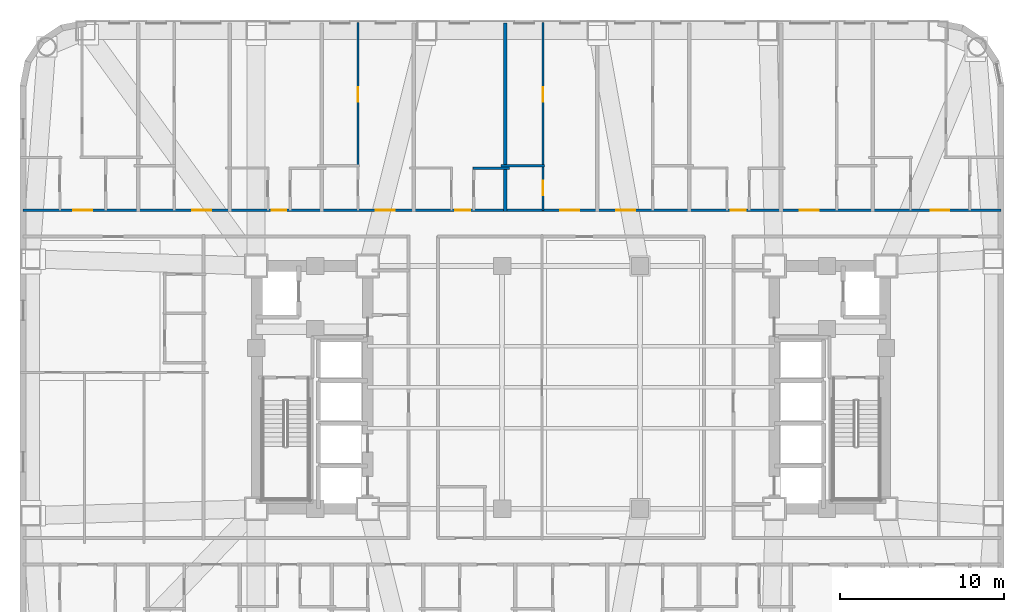
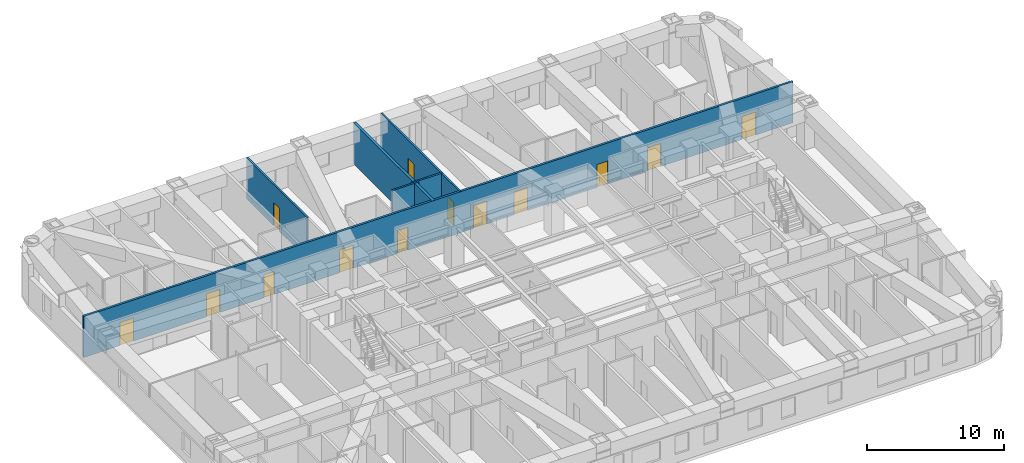
# One storey, part 8 of 12: 13 doors, 7 walls, 13 openings.
"""IFC4 building model written with IfcOpenShell, lengths in metres."""

from ifc_helpers import new_model, si_unit, direction, frame, frame_2d, origin, place, context, subcontext, project, spatial, rectangle, extrude, material, layer, layer_set, type_object, element, fill, save


model = new_model("IFC4")

# Units and contexts
model_context = context("Model", 3, precision=1e-05, world=origin(), true_north=direction((0.0, 1.0)))
body_context = subcontext(model_context, "Body", "Model", "MODEL_VIEW")
ifc_project = project(units=[si_unit("LENGTHUNIT", "METRE"), si_unit("AREAUNIT", "SQUARE_METRE"), si_unit("VOLUMEUNIT", "CUBIC_METRE"), si_unit("PLANEANGLEUNIT", "RADIAN"), si_unit("MASSUNIT", "GRAM", prefix="KILO")], contexts=[model_context])

# Site, building, storey
site_placement = place(None, origin())
site = spatial("IfcSite", under=ifc_project, at=site_placement, CompositionType="ELEMENT")
building_placement = place(site_placement, origin())
building = spatial("IfcBuilding", under=site, at=building_placement, Name="Voryun Gate Residences", CompositionType="ELEMENT")
storey_placement = place(building_placement, frame((0.0, 0.0, 29.89990234375)))
storey = spatial("IfcBuildingStorey", under=building, at=storey_placement, Name="L06", CompositionType="ELEMENT", Elevation=29.89990234375)

# Wall, openings, doors
ifc_material_1 = material(Name="Gypsum acoustic fireboard")
ifc_layer_1 = layer(ifc_material_1, 0.179931640625, Name="W_CORR_RATED_180")
ifc_layer_set_1 = layer_set([ifc_layer_1], Name="Gypsum acoustic fireboard")
wall_type_1 = type_object("IfcWallType", Name="W_CORR_RATED_180", PredefinedType="PARTITIONING", material=ifc_layer_set_1)
wall_1_placement = place(storey_placement, frame((-33.409912109375, 10.800048828125, 0.0), z_axis=(0.0, 0.0, 1.0), x_axis=(1.0, 0.0, 0.0)))
wall_1 = element("IfcWall", 1, at=wall_1_placement, inside=storey, type_object=wall_type_1, Name="Partition wall WP-L06-NCORR", PredefinedType="PARTITIONING", context=body_context, shape_type="SweptSolid", body=[
    extrude(rectangle(XDim=59.619873046875, YDim=0.179931640625, at=frame_2d((29.81005859375, 0.0))), origin(), (0.0, 0.0, 1.0), 3.650146484375),
])
opening_1_placement = place(wall_1_placement, frame((3.061767578125, 0.0, 0.0)))
opening_1 = element("IfcOpeningElement", 2, at=opening_1_placement, cuts=wall_1, Name="Opening D-UNIT-1", PredefinedType="OPENING", context=body_context, shape_type="SweptSolid", body=[
    extrude(rectangle(XDim=1.14990234375, YDim=2.050048828125, at=frame_2d((0.574951171875, 1.02490234375))), frame((0.0, 0.099853515625, 0.0), z_axis=(0.0, -1.0, 0.0), x_axis=(1.0, 0.0, 0.0)), (0.0, 0.0, 1.0), 0.199951171875),
])
opening_2_placement = place(wall_1_placement, frame((10.3115234375, 0.0, 0.0)))
opening_2 = element("IfcOpeningElement", 3, at=opening_2_placement, cuts=wall_1, Name="Opening D-UNIT-1", PredefinedType="OPENING", context=body_context, shape_type="SweptSolid", body=[
    extrude(rectangle(XDim=1.14990234375, YDim=2.050048828125, at=frame_2d((0.574951171875, 1.02490234375))), frame((0.0, 0.099853515625, 0.0), z_axis=(0.0, -1.0, 0.0), x_axis=(1.0, 0.0, 0.0)), (0.0, 0.0, 1.0), 0.199951171875),
])
opening_3_placement = place(wall_1_placement, frame((15.152587890625, 0.0, 0.0)))
opening_3 = element("IfcOpeningElement", 4, at=opening_3_placement, cuts=wall_1, Name="Opening D-INT-2", PredefinedType="OPENING", context=body_context, shape_type="SweptSolid", body=[
    extrude(rectangle(XDim=0.89990234375, YDim=2.050048828125, at=frame_2d((0.449951171875, 1.02490234375))), frame((0.0, 0.099853515625, 0.0), z_axis=(0.0, -1.0, 0.0), x_axis=(1.0, 0.0, 0.0)), (0.0, 0.0, 1.0), 0.199951171875),
])
opening_4_placement = place(wall_1_placement, frame((21.50830078125, 0.0, 0.0)))
opening_4 = element("IfcOpeningElement", 5, at=opening_4_placement, cuts=wall_1, Name="Opening D-UNIT-1", PredefinedType="OPENING", context=body_context, shape_type="SweptSolid", body=[
    extrude(rectangle(XDim=1.14990234375, YDim=2.050048828125, at=frame_2d((0.574951171875, 1.02490234375))), frame((0.0, 0.099853515625, 0.0), z_axis=(0.0, -1.0, 0.0), x_axis=(1.0, 0.0, 0.0)), (0.0, 0.0, 1.0), 0.199951171875),
])
opening_5_placement = place(wall_1_placement, frame((26.355224609375, 0.0, 0.0)))
opening_5 = element("IfcOpeningElement", 6, at=opening_5_placement, cuts=wall_1, Name="Opening D-INT-2", PredefinedType="OPENING", context=body_context, shape_type="SweptSolid", body=[
    extrude(rectangle(XDim=0.89990234375, YDim=2.050048828125, at=frame_2d((0.449951171875, 1.02490234375))), frame((0.0, 0.099853515625, 0.0), z_axis=(0.0, -1.0, 0.0), x_axis=(1.0, 0.0, 0.0)), (0.0, 0.0, 1.0), 0.199951171875),
])
opening_6_placement = place(wall_1_placement, frame((32.752685546875, 0.0, 0.0)))
opening_6 = element("IfcOpeningElement", 7, at=opening_6_placement, cuts=wall_1, Name="Opening D-UNIT-1", PredefinedType="OPENING", context=body_context, shape_type="SweptSolid", body=[
    extrude(rectangle(XDim=1.14990234375, YDim=2.050048828125, at=frame_2d((0.574951171875, 1.02490234375))), frame((0.0, 0.099853515625, 0.0), z_axis=(0.0, -1.0, 0.0), x_axis=(1.0, 0.0, 0.0)), (0.0, 0.0, 1.0), 0.199951171875),
])
opening_7_placement = place(wall_1_placement, frame((36.162841796875, 0.0, 0.0)))
opening_7 = element("IfcOpeningElement", 8, at=opening_7_placement, cuts=wall_1, Name="Opening D-UNIT-1", PredefinedType="OPENING", context=body_context, shape_type="SweptSolid", body=[
    extrude(rectangle(XDim=1.14990234375, YDim=2.050048828125, at=frame_2d((0.574951171875, 1.02490234375))), frame((0.0, 0.099853515625, 0.0), z_axis=(0.0, -1.0, 0.0), x_axis=(1.0, 0.0, 0.0)), (0.0, 0.0, 1.0), 0.199951171875),
])
opening_8_placement = place(wall_1_placement, frame((43.156005859375, 0.0, 0.0)))
opening_8 = element("IfcOpeningElement", 9, at=opening_8_placement, cuts=wall_1, Name="Opening D-INT-2", PredefinedType="OPENING", context=body_context, shape_type="SweptSolid", body=[
    extrude(rectangle(XDim=0.89990234375, YDim=2.050048828125, at=frame_2d((0.449951171875, 1.02490234375))), frame((0.0, 0.099853515625, 0.0), z_axis=(0.0, -1.0, 0.0), x_axis=(1.0, 0.0, 0.0)), (0.0, 0.0, 1.0), 0.199951171875),
])
opening_9_placement = place(wall_1_placement, frame((47.359619140625, 0.0, 0.0)))
opening_9 = element("IfcOpeningElement", 10, at=opening_9_placement, cuts=wall_1, Name="Opening D-UNIT-1", PredefinedType="OPENING", context=body_context, shape_type="SweptSolid", body=[
    extrude(rectangle(XDim=1.14990234375, YDim=2.050048828125, at=frame_2d((0.574951171875, 1.02490234375))), frame((0.0, 0.099853515625, 0.0), z_axis=(0.0, -1.0, 0.0), x_axis=(1.0, 0.0, 0.0)), (0.0, 0.0, 1.0), 0.199951171875),
])
opening_10_placement = place(wall_1_placement, frame((55.336669921875, 0.0, 0.0)))
opening_10 = element("IfcOpeningElement", 11, at=opening_10_placement, cuts=wall_1, Name="Opening D-UNIT-1", PredefinedType="OPENING", context=body_context, shape_type="SweptSolid", body=[
    extrude(rectangle(XDim=1.14990234375, YDim=2.050048828125, at=frame_2d((0.574951171875, 1.02490234375))), frame((0.0, 0.099853515625, 0.0), z_axis=(0.0, -1.0, 0.0), x_axis=(1.0, 0.0, 0.0)), (0.0, 0.0, 1.0), 0.199951171875),
])
ifc_material_2 = material(Name="Architectural oak veneer")
door_type_1 = type_object("IfcDoorType", Name="DR_INT_BATH_900", OperationType="NOTDEFINED", PredefinedType="DOOR", material=ifc_material_2)
door_1_placement = place(opening_3_placement, origin())
door_1 = element("IfcDoor", 12, at=door_1_placement, inside=storey, type_object=door_type_1, Name="Door DR-L06-NENT-3", OperationType="SINGLE_SWING_LEFT", OverallHeight=2.050048828125, OverallWidth=0.89990234375, PredefinedType="DOOR", context=body_context, shape_type="SweptSolid", body=[
    extrude(rectangle(XDim=0.89990234375, YDim=2.050048828125, at=frame_2d((0.449951171875, 1.02490234375))), frame((0.0, 0.02490234375, 0.0), z_axis=(0.0, -1.0, 0.0), x_axis=(1.0, 0.0, 0.0)), (0.0, 0.0, 1.0), 0.050048828125),
])
fill(opening_3, door_1)
door_2_placement = place(opening_5_placement, origin())
door_2 = element("IfcDoor", 13, at=door_2_placement, inside=storey, type_object=door_type_1, Name="Door DR-L06-NENT-5", OperationType="SINGLE_SWING_LEFT", OverallHeight=2.050048828125, OverallWidth=0.89990234375, PredefinedType="DOOR", context=body_context, shape_type="SweptSolid", body=[
    extrude(rectangle(XDim=0.89990234375, YDim=2.050048828125, at=frame_2d((0.449951171875, 1.02490234375))), frame((0.0, 0.02490234375, 0.0), z_axis=(0.0, -1.0, 0.0), x_axis=(1.0, 0.0, 0.0)), (0.0, 0.0, 1.0), 0.050048828125),
])
fill(opening_5, door_2)
door_3_placement = place(opening_8_placement, origin())
door_3 = element("IfcDoor", 14, at=door_3_placement, inside=storey, type_object=door_type_1, Name="Door DR-L06-NENT-8", OperationType="SINGLE_SWING_RIGHT", OverallHeight=2.050048828125, OverallWidth=0.89990234375, PredefinedType="DOOR", context=body_context, shape_type="SweptSolid", body=[
    extrude(rectangle(XDim=0.89990234375, YDim=2.050048828125, at=frame_2d((0.449951171875, 1.02490234375))), frame((0.0, 0.02490234375, 0.0), z_axis=(0.0, -1.0, 0.0), x_axis=(1.0, 0.0, 0.0)), (0.0, 0.0, 1.0), 0.050048828125),
])
fill(opening_8, door_3)
ifc_material_3 = material(Name="Armoured timber-clad fire door", Category="wood")
door_type_2 = type_object("IfcDoorType", Name="DR_UNIT_ENTRY_1150", OperationType="NOTDEFINED", PredefinedType="DOOR", material=ifc_material_3)
door_4_placement = place(opening_1_placement, origin())
door_4 = element("IfcDoor", 15, at=door_4_placement, inside=storey, type_object=door_type_2, Name="Door DR-L06-NENT-1", OperationType="SINGLE_SWING_LEFT", OverallHeight=2.050048828125, OverallWidth=1.14990234375, PredefinedType="DOOR", context=body_context, shape_type="SweptSolid", body=[
    extrude(rectangle(XDim=1.14990234375, YDim=2.050048828125, at=frame_2d((0.574951171875, 1.02490234375))), frame((0.0, 0.02490234375, 0.0), z_axis=(0.0, -1.0, 0.0), x_axis=(1.0, 0.0, 0.0)), (0.0, 0.0, 1.0), 0.050048828125),
])
fill(opening_1, door_4)
door_5_placement = place(opening_2_placement, origin())
door_5 = element("IfcDoor", 16, at=door_5_placement, inside=storey, type_object=door_type_2, Name="Door DR-L06-NENT-2", OperationType="SINGLE_SWING_RIGHT", OverallHeight=2.050048828125, OverallWidth=1.14990234375, PredefinedType="DOOR", context=body_context, shape_type="SweptSolid", body=[
    extrude(rectangle(XDim=1.14990234375, YDim=2.050048828125, at=frame_2d((0.574951171875, 1.02490234375))), frame((0.0, 0.02490234375, 0.0), z_axis=(0.0, -1.0, 0.0), x_axis=(1.0, 0.0, 0.0)), (0.0, 0.0, 1.0), 0.050048828125),
])
fill(opening_2, door_5)
door_6_placement = place(opening_4_placement, origin())
door_6 = element("IfcDoor", 17, at=door_6_placement, inside=storey, type_object=door_type_2, Name="Door DR-L06-NENT-4", OperationType="SINGLE_SWING_RIGHT", OverallHeight=2.050048828125, OverallWidth=1.14990234375, PredefinedType="DOOR", context=body_context, shape_type="SweptSolid", body=[
    extrude(rectangle(XDim=1.14990234375, YDim=2.050048828125, at=frame_2d((0.574951171875, 1.02490234375))), frame((0.0, 0.02490234375, 0.0), z_axis=(0.0, -1.0, 0.0), x_axis=(1.0, 0.0, 0.0)), (0.0, 0.0, 1.0), 0.050048828125),
])
fill(opening_4, door_6)
door_7_placement = place(opening_6_placement, origin())
door_7 = element("IfcDoor", 18, at=door_7_placement, inside=storey, type_object=door_type_2, Name="Door DR-L06-NENT-6", OperationType="SINGLE_SWING_RIGHT", OverallHeight=2.050048828125, OverallWidth=1.14990234375, PredefinedType="DOOR", context=body_context, shape_type="SweptSolid", body=[
    extrude(rectangle(XDim=1.14990234375, YDim=2.050048828125, at=frame_2d((0.574951171875, 1.02490234375))), frame((0.0, 0.02490234375, 0.0), z_axis=(0.0, -1.0, 0.0), x_axis=(1.0, 0.0, 0.0)), (0.0, 0.0, 1.0), 0.050048828125),
])
fill(opening_6, door_7)
door_8_placement = place(opening_7_placement, origin())
door_8 = element("IfcDoor", 19, at=door_8_placement, inside=storey, type_object=door_type_2, Name="Door DR-L06-NENT-7", OperationType="SINGLE_SWING_LEFT", OverallHeight=2.050048828125, OverallWidth=1.14990234375, PredefinedType="DOOR", context=body_context, shape_type="SweptSolid", body=[
    extrude(rectangle(XDim=1.14990234375, YDim=2.050048828125, at=frame_2d((0.574951171875, 1.02490234375))), frame((0.0, 0.02490234375, 0.0), z_axis=(0.0, -1.0, 0.0), x_axis=(1.0, 0.0, 0.0)), (0.0, 0.0, 1.0), 0.050048828125),
])
fill(opening_7, door_8)
door_9_placement = place(opening_9_placement, origin())
door_9 = element("IfcDoor", 20, at=door_9_placement, inside=storey, type_object=door_type_2, Name="Door DR-L06-NENT-9", OperationType="SINGLE_SWING_LEFT", OverallHeight=2.050048828125, OverallWidth=1.14990234375, PredefinedType="DOOR", context=body_context, shape_type="SweptSolid", body=[
    extrude(rectangle(XDim=1.14990234375, YDim=2.050048828125, at=frame_2d((0.574951171875, 1.02490234375))), frame((0.0, 0.02490234375, 0.0), z_axis=(0.0, -1.0, 0.0), x_axis=(1.0, 0.0, 0.0)), (0.0, 0.0, 1.0), 0.050048828125),
])
fill(opening_9, door_9)
door_10_placement = place(opening_10_placement, origin())
door_10 = element("IfcDoor", 21, at=door_10_placement, inside=storey, type_object=door_type_2, Name="Door DR-L06-NENT-10", OperationType="SINGLE_SWING_RIGHT", OverallHeight=2.050048828125, OverallWidth=1.14990234375, PredefinedType="DOOR", context=body_context, shape_type="SweptSolid", body=[
    extrude(rectangle(XDim=1.14990234375, YDim=2.050048828125, at=frame_2d((0.574951171875, 1.02490234375))), frame((0.0, 0.02490234375, 0.0), z_axis=(0.0, -1.0, 0.0), x_axis=(1.0, 0.0, 0.0)), (0.0, 0.0, 1.0), 0.050048828125),
])
fill(opening_10, door_10)

# Wall
ifc_material_4 = material(Name="Concrete C40/50", Category="concrete")
ifc_layer_2 = layer(ifc_material_4, 0.219970703125, Name="W_PARTY_ACOUSTIC_220")
ifc_layer_set_2 = layer_set([ifc_layer_2], Name="Concrete C40/50")
wall_type_2 = type_object("IfcWallType", Name="W_PARTY_ACOUSTIC_220", PredefinedType="PARTITIONING", material=ifc_layer_set_2)
wall_2_placement = place(storey_placement, frame((-4.0, 10.719970703125, 0.0), z_axis=(0.0, 0.0, 1.0), x_axis=(0.0, 1.0, 0.0)))
element("IfcWall", 22, at=wall_2_placement, inside=storey, type_object=wall_type_2, Name="Partition wall WP-L06-NPTY-5", PredefinedType="PARTITIONING", context=body_context, shape_type="SweptSolid", body=[
    extrude(rectangle(XDim=11.489990234375, YDim=0.219970703125, at=frame_2d((5.7451171875, 0.0))), origin(), (0.0, 0.0, 1.0), 3.650146484375),
])

# Wall, opening, door
ifc_material_5 = material(Name="Gypsum moisture-resistant partition")
ifc_layer_3 = layer(ifc_material_5, 0.14990234375, Name="W_WET_PLUMB_150")
ifc_layer_set_3 = layer_set([ifc_layer_3], Name="Gypsum moisture-resistant partition")
wall_type_3 = type_object("IfcWallType", Name="W_WET_PLUMB_150", PredefinedType="PLUMBINGWALL", material=ifc_layer_set_3)
wall_3_placement = place(storey_placement, frame((-12.989990234375, 13.4599609375, 0.0), z_axis=(0.0, 0.0, 1.0), x_axis=(0.0, 1.0, 0.0)))
wall_3 = element("IfcWall", 23, at=wall_3_placement, inside=storey, type_object=wall_type_3, Name="Partition wall WP-L06-N4-SVT2", PredefinedType="PLUMBINGWALL", context=body_context, shape_type="SweptSolid", body=[
    extrude(rectangle(XDim=8.797607421875, YDim=0.14990234375, at=frame_2d((4.39892578125, 0.0))), origin(), (0.0, 0.0, 1.0), 3.650146484375),
])
opening_11_placement = place(wall_3_placement, frame((3.94873046875, 0.0, 0.0)))
opening_11 = element("IfcOpeningElement", 24, at=opening_11_placement, cuts=wall_3, Name="Opening D-INT-2", PredefinedType="OPENING", context=body_context, shape_type="SweptSolid", body=[
    extrude(rectangle(XDim=0.89990234375, YDim=2.050048828125, at=frame_2d((0.449951171875, 1.02490234375))), frame((0.0, 0.0849609375, 0.0), z_axis=(0.0, -1.0, 0.0), x_axis=(1.0, 0.0, 0.0)), (0.0, 0.0, 1.0), 0.169921875),
])
door_11_placement = place(opening_11_placement, origin())
door_11 = element("IfcDoor", 25, at=door_11_placement, inside=storey, type_object=door_type_1, Name="Door DR-L06-N4-DK", OperationType="SINGLE_SWING_RIGHT", OverallHeight=2.050048828125, OverallWidth=0.89990234375, PredefinedType="DOOR", context=body_context, shape_type="SweptSolid", body=[
    extrude(rectangle(XDim=0.89990234375, YDim=2.050048828125, at=frame_2d((0.449951171875, 1.02490234375))), frame((0.0, 0.02490234375, 0.0), z_axis=(0.0, -1.0, 0.0), x_axis=(1.0, 0.0, 0.0)), (0.0, 0.0, 1.0), 0.050048828125),
])
fill(opening_11, door_11)

# Walls
wall_4_placement = place(storey_placement, frame((-5.98291015625, 13.3701171875, 0.0), z_axis=(0.0, 0.0, 1.0), x_axis=(1.0, 0.0, 0.0)))
element("IfcWall", 26, at=wall_4_placement, inside=storey, type_object=wall_type_3, Name="Partition wall WP-L06-N5-CHB", PredefinedType="PLUMBINGWALL", context=body_context, shape_type="SweptSolid", body=[
    extrude(rectangle(XDim=2.242919921875, YDim=0.14990234375, at=frame_2d((1.12158203125, 0.0))), origin(), (0.0, 0.0, 1.0), 3.650146484375),
])
wall_5_placement = place(storey_placement, frame((-4.260009765625, 13.5, 0.0), z_axis=(0.0, 0.0, 1.0), x_axis=(1.0, 0.0, 0.0)))
element("IfcWall", 27, at=wall_5_placement, inside=storey, type_object=wall_type_3, Name="Partition wall WP-L06-N6-SKB", PredefinedType="PLUMBINGWALL", context=body_context, shape_type="SweptSolid", body=[
    extrude(rectangle(XDim=2.630126953125, YDim=0.14990234375, at=frame_2d((1.31494140625, 0.0))), origin(), (0.0, 0.0, 1.0), 3.650146484375),
])

# Wall, opening, door
wall_6_placement = place(storey_placement, frame((-1.7099609375, 10.780029296875, 0.0), z_axis=(0.0, 0.0, 1.0), x_axis=(0.0, 1.0, 0.0)))
wall_6 = element("IfcWall", 28, at=wall_6_placement, inside=storey, type_object=wall_type_3, Name="Partition wall WP-L06-N6-SVT1", PredefinedType="PLUMBINGWALL", context=body_context, shape_type="SweptSolid", body=[
    extrude(rectangle(XDim=2.760009765625, YDim=0.14990234375, at=frame_2d((1.3798828125, 0.0))), origin(), (0.0, 0.0, 1.0), 3.650146484375),
])
opening_12_placement = place(wall_6_placement, frame((0.929931640625, 0.0, 0.0)))
opening_12 = element("IfcOpeningElement", 29, at=opening_12_placement, cuts=wall_6, Name="Opening D-INT-2", PredefinedType="OPENING", context=body_context, shape_type="SweptSolid", body=[
    extrude(rectangle(XDim=0.89990234375, YDim=2.050048828125, at=frame_2d((0.449951171875, 1.02490234375))), frame((0.0, 0.0849609375, 0.0), z_axis=(0.0, -1.0, 0.0), x_axis=(1.0, 0.0, 0.0)), (0.0, 0.0, 1.0), 0.169921875),
])
door_12_placement = place(opening_12_placement, origin())
door_12 = element("IfcDoor", 30, at=door_12_placement, inside=storey, type_object=door_type_1, Name="Door DR-L06-N6-DB", OperationType="SINGLE_SWING_LEFT", OverallHeight=2.050048828125, OverallWidth=0.89990234375, PredefinedType="DOOR", context=body_context, shape_type="SweptSolid", body=[
    extrude(rectangle(XDim=0.89990234375, YDim=2.050048828125, at=frame_2d((0.449951171875, 1.02490234375))), frame((0.0, 0.02490234375, 0.0), z_axis=(0.0, -1.0, 0.0), x_axis=(1.0, 0.0, 0.0)), (0.0, 0.0, 1.0), 0.050048828125),
])
fill(opening_12, door_12)

wall_7_placement = place(storey_placement, frame((-1.7099609375, 13.4599609375, 0.0), z_axis=(0.0, 0.0, 1.0), x_axis=(0.0, 1.0, 0.0)))
wall_7 = element("IfcWall", 31, at=wall_7_placement, inside=storey, type_object=wall_type_3, Name="Partition wall WP-L06-N6-SVT2", PredefinedType="PLUMBINGWALL", context=body_context, shape_type="SweptSolid", body=[
    extrude(rectangle(XDim=8.797607421875, YDim=0.14990234375, at=frame_2d((4.39892578125, 0.0))), origin(), (0.0, 0.0, 1.0), 3.650146484375),
])
opening_13_placement = place(wall_7_placement, frame((3.94873046875, 0.0, 0.0)))
opening_13 = element("IfcOpeningElement", 32, at=opening_13_placement, cuts=wall_7, Name="Opening D-INT-2", PredefinedType="OPENING", context=body_context, shape_type="SweptSolid", body=[
    extrude(rectangle(XDim=0.89990234375, YDim=2.050048828125, at=frame_2d((0.449951171875, 1.02490234375))), frame((0.0, 0.0849609375, 0.0), z_axis=(0.0, -1.0, 0.0), x_axis=(1.0, 0.0, 0.0)), (0.0, 0.0, 1.0), 0.169921875),
])
door_13_placement = place(opening_13_placement, origin())
door_13 = element("IfcDoor", 33, at=door_13_placement, inside=storey, type_object=door_type_1, Name="Door DR-L06-N6-DK", OperationType="SINGLE_SWING_RIGHT", OverallHeight=2.050048828125, OverallWidth=0.89990234375, PredefinedType="DOOR", context=body_context, shape_type="SweptSolid", body=[
    extrude(rectangle(XDim=0.89990234375, YDim=2.050048828125, at=frame_2d((0.449951171875, 1.02490234375))), frame((0.0, 0.02490234375, 0.0), z_axis=(0.0, -1.0, 0.0), x_axis=(1.0, 0.0, 0.0)), (0.0, 0.0, 1.0), 0.050048828125),
])
fill(opening_13, door_13)

save(model, "model.ifc")
